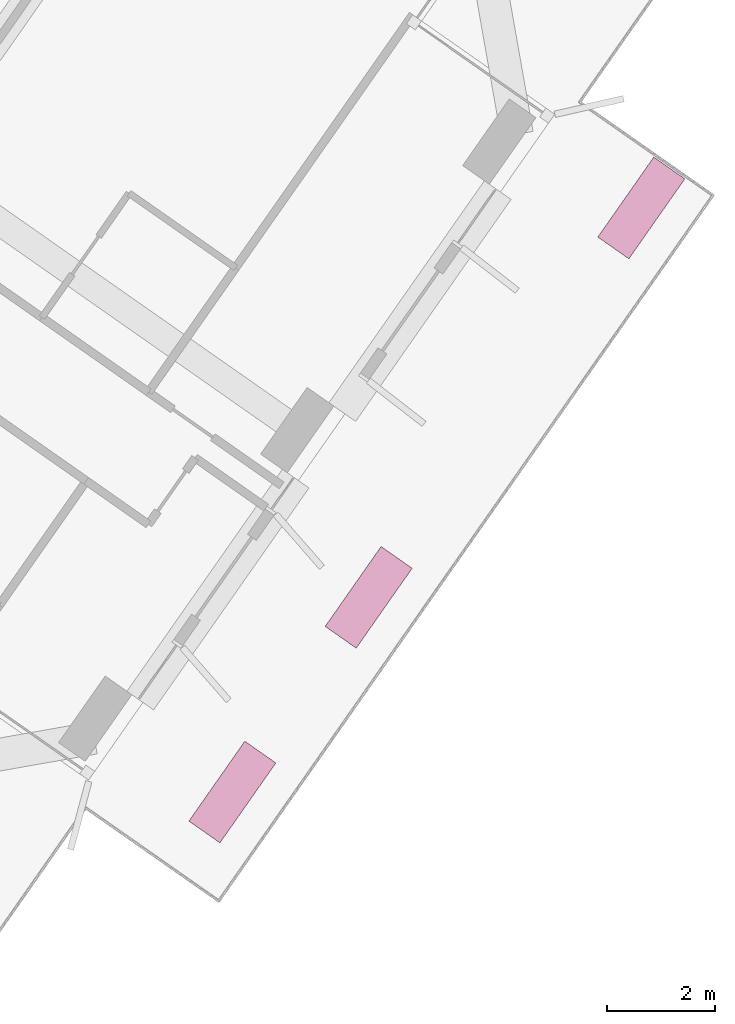
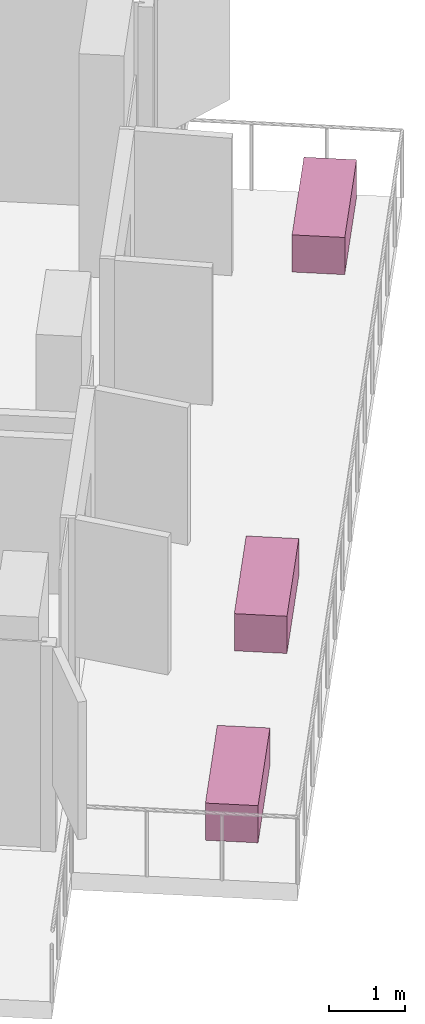
# One storey, part 25 of 25: 3 furniture elements.
"""IFC4 building model written with IfcOpenShell, lengths in metres."""

from ifc_helpers import new_model, si_unit, direction, frame, origin, origin_2d, place, context, subcontext, project, spatial, rectangle, extrude, material, type_object, element, save


model = new_model("IFC4")

# Units and contexts
model_context = context("Model", 3, precision=1e-05, world=origin(), true_north=direction((0.0, 1.0)))
body_context = subcontext(model_context, "Body", "Model", "MODEL_VIEW")
ifc_project = project(units=[si_unit("LENGTHUNIT", "METRE"), si_unit("AREAUNIT", "SQUARE_METRE"), si_unit("VOLUMEUNIT", "CUBIC_METRE"), si_unit("PLANEANGLEUNIT", "RADIAN"), si_unit("MASSUNIT", "GRAM", prefix="KILO")], contexts=[model_context])

# Site, building, storey
site_placement = place(None, origin())
site = spatial("IfcSite", under=ifc_project, at=site_placement, CompositionType="ELEMENT")
building_placement = place(site_placement, origin())
building = spatial("IfcBuilding", under=site, at=building_placement, Name="Tel Ilan Convention Tower", CompositionType="ELEMENT")
storey_placement = place(building_placement, frame((0.0, 0.0, 76.10009765625)))
storey = spatial("IfcBuildingStorey", under=building, at=storey_placement, Name="L14", CompositionType="ELEMENT", Elevation=76.10009765625)

# Furniture
ifc_material = material(Name="Concrete C30/37", Category="concrete")
furniture_type = type_object("IfcFurnitureType", Name="PLANTER 1800x700", AssemblyPlace="NOTDEFINED", PredefinedType="NOTDEFINED", material=ifc_material)
for number, where, z_axis, x_axis, name in (
    (1, (42.9248046875, -21.5107421875, -0.000244140625), (0.0, 0.0, 1.0), (-0.573576436351, -0.819152044289, 0.0), "PLANTER"),
    (2, (37.8935546875, -28.696044921875, -0.000244140625), (0.0, 0.0, 1.0), (-0.573576436351, -0.819152044289, 0.0), "PLANTER"),
    (3, (35.378173828125, -32.28857421875, -0.000244140625), (0.0, 0.0, 1.0), (-0.573576436351, -0.819152044289, 0.0), "PLANTER"),
):
    element("IfcFurniture", number, at=place(storey_placement, frame(where, z_axis=z_axis, x_axis=x_axis)), inside=storey, type_object=furniture_type, Name=name, PredefinedType="NOTDEFINED", context=body_context, shape_type="SweptSolid", body=[
        extrude(rectangle(XDim=1.800048828125, YDim=0.699951171875, at=origin_2d()), origin(), (0.0, 0.0, 1.0), 0.60009765625),
    ])

save(model, "model.ifc")
